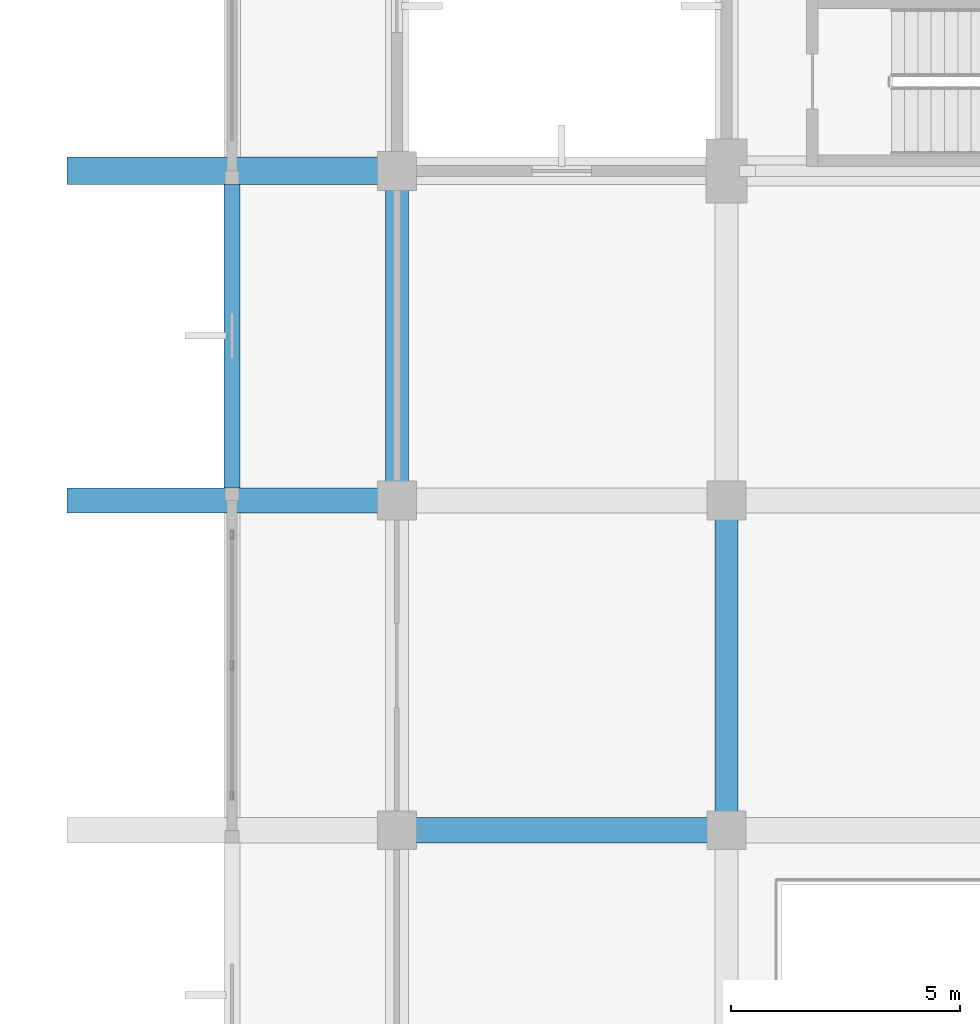
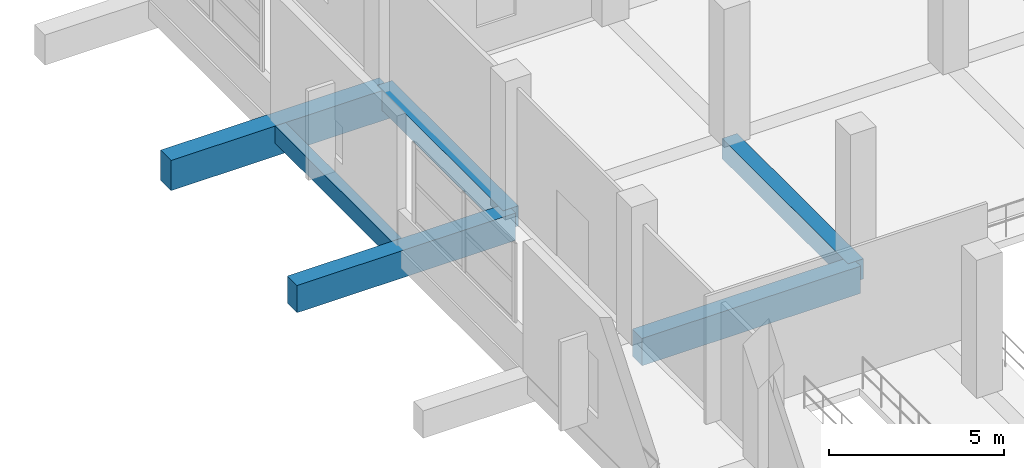
# One storey, part 61 of 181: 6 beams.
"""IFC4 building model written with IfcOpenShell, lengths in metres."""

from ifc_helpers import new_model, si_unit, direction, frame, origin, origin_2d, place, context, subcontext, project, spatial, rectangle, extrude, material, material_profile, profile_set, type_object, element, save


model = new_model("IFC4")

# Units and contexts
model_context = context("Model", 3, precision=1e-05, world=origin(), true_north=direction((0.0, 1.0)))
body_context = subcontext(model_context, "Body", "Model", "MODEL_VIEW")
ifc_project = project(units=[si_unit("LENGTHUNIT", "METRE"), si_unit("AREAUNIT", "SQUARE_METRE"), si_unit("VOLUMEUNIT", "CUBIC_METRE"), si_unit("PLANEANGLEUNIT", "RADIAN"), si_unit("MASSUNIT", "GRAM", prefix="KILO")], contexts=[model_context])

# Site, building, storey
site_placement = place(None, origin())
site = spatial("IfcSite", under=ifc_project, at=site_placement, CompositionType="ELEMENT")
building_placement = place(site_placement, origin())
building = spatial("IfcBuilding", under=site, at=building_placement, Name="Seraya Terrace Polytechnic", CompositionType="ELEMENT")
storey_placement = place(building_placement, frame((0.0, 0.0, 4.800048828125)))
storey = spatial("IfcBuildingStorey", under=building, at=storey_placement, Name="L01", CompositionType="ELEMENT", Elevation=4.800048828125)

# Beams
ifc_material = material(Name="Concrete C40/50", Category="concrete")
ifc_material_profile_1 = material_profile(ifc_material, rectangle(XDim=0.60009765625, YDim=1.050048828125, at=origin_2d()), Name="RC 600x1050")
ifc_profile_set_1 = profile_set([ifc_material_profile_1], Name="Concrete C40/50")
beam_type_1 = type_object("IfcBeamType", Name="BM-01", PredefinedType="BEAM", material=ifc_profile_set_1)
beam_1_placement = place(storey_placement, frame((0.0, 79.199951171875, -0.525146484375), z_axis=(1.0, 0.0, 0.0), x_axis=(0.0, 1.0, 0.0)))
element("IfcBeam", 1, at=beam_1_placement, inside=storey, type_object=beam_type_1, Name="Beam BM-01 L01 X (0.0..7.2, 79.2)", PredefinedType="BEAM", context=body_context, shape_type="SweptSolid", body=[
    extrude(rectangle(XDim=0.60009765625, YDim=1.050048828125, at=origin_2d()), origin(), (0.0, 0.0, 1.0), 7.199951171875),
])
ifc_material_profile_2 = material_profile(ifc_material, rectangle(XDim=0.550048828125, YDim=0.949951171875, at=origin_2d()), Name="RC 550x950")
ifc_profile_set_2 = profile_set([ifc_material_profile_2], Name="Concrete C40/50")
beam_type_2 = type_object("IfcBeamType", Name="BM-03", PredefinedType="BEAM", material=ifc_profile_set_2)
for number, where, z_axis, x_axis, name in (
    (2, (7.199951171875, 64.800048828125, -0.47509765625), (1.0, 0.0, 0.0), (0.0, 1.0, 0.0), "Beam BM-03 L01 X (7.2..14.4, 64.8)"),
    (3, (0.0, 72.0, -0.47509765625), (1.0, 0.0, 0.0), (0.0, 1.0, 0.0), "Beam BM-03 L01 X (0.0..7.2, 72.0)"),
):
    element("IfcBeam", number, at=place(storey_placement, frame(where, z_axis=z_axis, x_axis=x_axis)), inside=storey, type_object=beam_type_2, Name=name, PredefinedType="BEAM", context=body_context, shape_type="SweptSolid", body=[
        extrude(rectangle(XDim=0.550048828125, YDim=0.949951171875, at=origin_2d()), origin(), (0.0, 0.0, 1.0), 7.199951171875),
    ])
ifc_material_profile_3 = material_profile(ifc_material, rectangle(XDim=0.5, YDim=0.699951171875, at=origin_2d()), Name="RC 500x700")
ifc_profile_set_3 = profile_set([ifc_material_profile_3], Name="Concrete C40/50")
beam_type_3 = type_object("IfcBeamType", Name="BM-07", PredefinedType="BEAM", material=ifc_profile_set_3)
for number, where, z_axis, x_axis, name in (
    (4, (7.199951171875, 72.0, -0.35009765625), (0.0, 1.0, 0.0), (-1.0, 0.0, 0.0), "Beam BM-07 L01 Y (7.2, 72.0..79.2)"),
    (5, (14.39990234375, 64.800048828125, -0.35009765625), (0.0, 1.0, 0.0), (-1.0, 0.0, 0.0), "Beam BM-07 L01 Y (14.4, 64.8..72.0)"),
):
    element("IfcBeam", number, at=place(storey_placement, frame(where, z_axis=z_axis, x_axis=x_axis)), inside=storey, type_object=beam_type_3, Name=name, PredefinedType="BEAM", context=body_context, shape_type="SweptSolid", body=[
        extrude(rectangle(XDim=0.5, YDim=0.699951171875, at=origin_2d()), origin(), (0.0, 0.0, 1.0), 7.199951171875),
    ])
ifc_material_profile_4 = material_profile(ifc_material, rectangle(XDim=0.35009765625, YDim=0.60009765625, at=origin_2d()), Name="RC 350x600")
ifc_profile_set_4 = profile_set([ifc_material_profile_4], Name="Concrete C40/50")
beam_type_4 = type_object("IfcBeamType", Name="JS-02", PredefinedType="JOIST", material=ifc_profile_set_4)
beam_2_placement = place(storey_placement, frame((3.60009765625, 72.27490234375, -0.300048828125), z_axis=(0.0, 1.0, 0.0), x_axis=(-1.0, 0.0, 0.0)))
element("IfcBeam", 6, at=beam_2_placement, inside=storey, type_object=beam_type_4, Name="Secondary joist JS-02 L01", PredefinedType="JOIST", context=body_context, shape_type="SweptSolid", body=[
    extrude(rectangle(XDim=0.35009765625, YDim=0.60009765625, at=origin_2d()), origin(), (0.0, 0.0, 1.0), 6.625),
])

save(model, "model.ifc")
